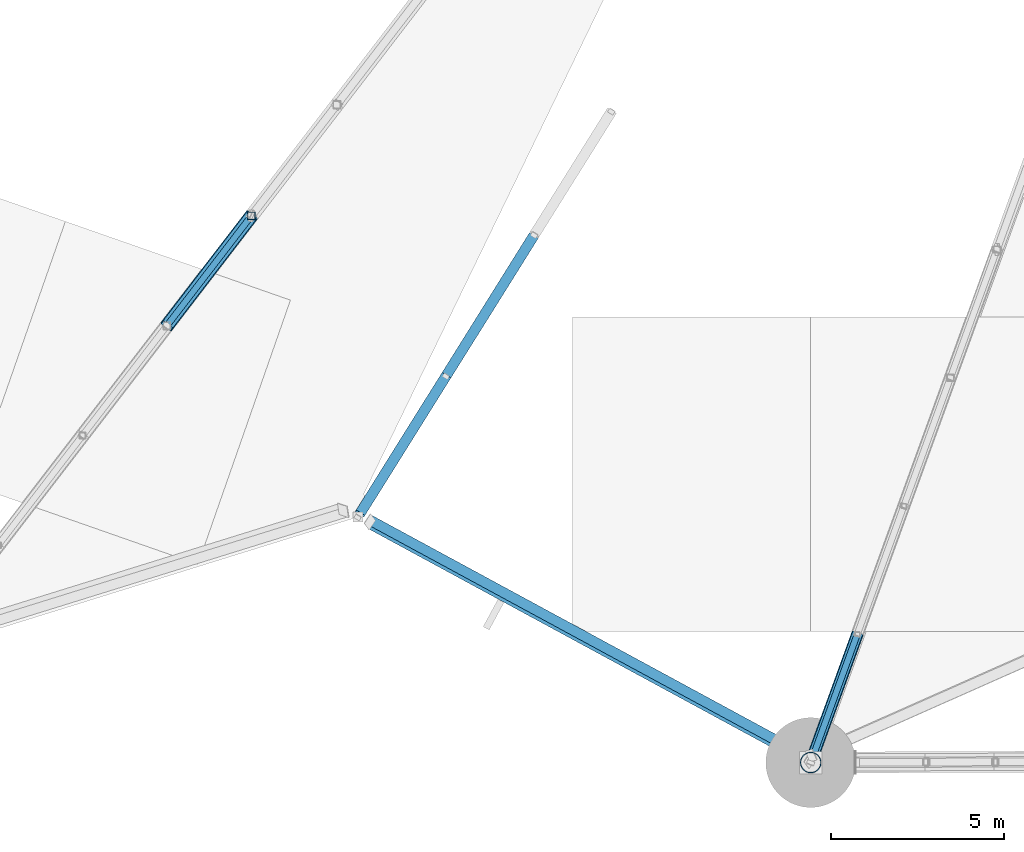
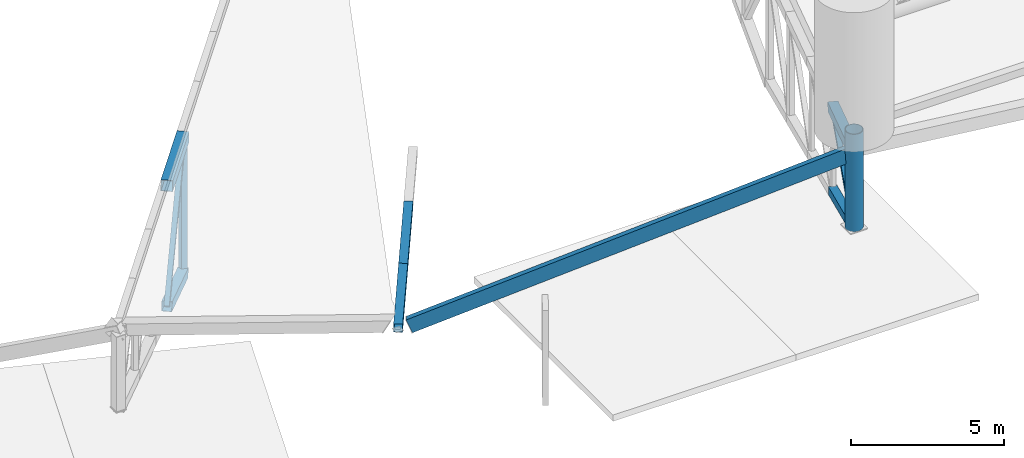
# One storey, part 5 of 188: 10 members, 1 beam.
"""IFC4 building model written with IfcOpenShell, lengths in metres."""

import ifcopenshell
import ifcopenshell.guid

model = None  # the IFC model being written
_history = None  # IfcOwnerHistory: only IFC2X3 demands one
_inside = {}  # id of a spatial element -> (the spatial element, [elements in it])
_under = {}  # id of a project, library or spatial element -> (it, [spatial elements below it])
_declared = {}  # id of a project -> (the project, [libraries it declares])
_typed = {}  # id of a type object -> (the type object, [elements of that type])
_made_of = {}  # id of a material, layer set ... -> (it, [elements and type objects made of it])


def new_model(schema):
    """Start an empty IFC model of exactly this schema.

    Asked for "IFC4X3", IfcOpenShell would pick the latest addendum, in which some entities
    have other attributes; the version numbers below select the first issue.
    IFC2X3 requires an IfcOwnerHistory on every rooted entity: one is made here for all.
    """
    global model, _history
    if schema == "IFC4X3":
        model = ifcopenshell.file(schema_version=(4, 3, 0, 0))
    else:
        model = ifcopenshell.file(schema=schema)
    _inside.clear()
    _under.clear()
    _declared.clear()
    _typed.clear()
    _made_of.clear()
    _history = None
    if model.schema == "IFC2X3":
        org = make("IfcOrganization", Name="unknown")
        user = make(
            "IfcPersonAndOrganization",
            ThePerson=make("IfcPerson", FamilyName="unknown"),
            TheOrganization=org,
        )
        app = make(
            "IfcApplication",
            ApplicationDeveloper=org,
            Version="unknown",
            ApplicationFullName="unknown",
            ApplicationIdentifier="unknown",
        )
        _history = make(
            "IfcOwnerHistory",
            OwningUser=user,
            OwningApplication=app,
            ChangeAction="ADDED",
            CreationDate=0,
        )
    return model


def make(cls, **values):
    """One entity of the class cls with the attributes given. An attribute that is None is left unset."""
    return model.create_entity(
        cls, **{name: value for name, value in values.items() if value is not None}
    )


def rooted(cls, **values):
    """An entity with a GlobalId (a new one), such as an element, a storey or a relation."""
    return make(cls, GlobalId=ifcopenshell.guid.new(), OwnerHistory=_history, **values)


def si_unit(unit_type, name, prefix=None):
    """IfcSIUnit, for example si_unit("LENGTHUNIT", "METRE", prefix="MILLI")."""
    return make("IfcSIUnit", UnitType=unit_type, Prefix=prefix, Name=name)


def assignment(units):
    """IfcUnitAssignment: the units of a project."""
    return None if units is None else make("IfcUnitAssignment", Units=units)


def point(xyz):
    """IfcCartesianPoint."""
    return None if xyz is None else make("IfcCartesianPoint", Coordinates=xyz)


def direction(xyz):
    """IfcDirection."""
    return None if xyz is None else make("IfcDirection", DirectionRatios=xyz)


def frame(location, z_axis=None, x_axis=None):
    """IfcAxis2Placement3D, a coordinate frame: its origin and axes. An axis left out is left unset."""
    return make(
        "IfcAxis2Placement3D",
        Location=point(location),
        Axis=direction(z_axis),
        RefDirection=direction(x_axis),
    )


def frame_2d(location, x_axis=None):
    """IfcAxis2Placement2D, a coordinate frame in the plane: its origin and x axis."""
    return make(
        "IfcAxis2Placement2D", Location=point(location), RefDirection=direction(x_axis)
    )


def origin():
    """The frame at (0, 0, 0) with its axes left unset."""
    return frame((0.0, 0.0, 0.0))


def origin_2d():
    """The frame at (0, 0) in the plane with its x axis left unset."""
    return frame_2d((0.0, 0.0))


def place(relative_to, where):
    """IfcLocalPlacement: puts the frame where relative to a parent placement (None: the world)."""
    return make(
        "IfcLocalPlacement", PlacementRelTo=relative_to, RelativePlacement=where
    )


def context(
    kind, dimensions, precision=None, world=None, true_north=None, identifier=None
):
    """IfcGeometricRepresentationContext, for example the 3D "Model" context."""
    return make(
        "IfcGeometricRepresentationContext",
        ContextIdentifier=identifier,
        ContextType=kind,
        CoordinateSpaceDimension=dimensions,
        Precision=precision,
        WorldCoordinateSystem=world,
        TrueNorth=true_north,
    )


def subcontext(parent, identifier, kind, view, scale=None):
    """IfcGeometricRepresentationSubContext, for example "Body" below "Model"."""
    return make(
        "IfcGeometricRepresentationSubContext",
        ContextIdentifier=identifier,
        ContextType=kind,
        ParentContext=parent,
        TargetScale=scale,
        TargetView=view,
    )


def project(units=None, contexts=None):
    """IfcProject with its units and contexts."""
    return rooted(
        "IfcProject",
        Name="project",
        RepresentationContexts=contexts,
        UnitsInContext=assignment(units),
    )


def spatial(cls, under=None, at=None, **own):
    """A site, building, storey or space (cls), placed at a placement, below another one or the project."""
    s = rooted(cls, ObjectPlacement=at, **own)
    if under is not None:
        _under.setdefault(under.id(), (under, []))[1].append(s)
    return s


def profile(cls, at=None, kind="AREA", **sizes):
    """A parametric profile (cls). Its sizes go by their IFC names, for example OverallWidth=200.0."""
    return make(cls, ProfileType=kind, Position=at, **sizes)


def hollow_rectangle(**sizes):
    """IfcRectangleHollowProfileDef."""
    return profile("IfcRectangleHollowProfileDef", **sizes)


def hollow_circle(**sizes):
    """IfcCircleHollowProfileDef."""
    return profile("IfcCircleHollowProfileDef", **sizes)


def extrude(swept, where, along, depth):
    """IfcExtrudedAreaSolid: the profile swept, set in the frame where, extruded along a direction by depth."""
    return make(
        "IfcExtrudedAreaSolid",
        SweptArea=swept,
        Position=where,
        ExtrudedDirection=direction(along),
        Depth=depth,
    )


def shape(context_of_items, identifier, shape_type, items):
    """IfcShapeRepresentation: the items that make up one representation, for example the "Body"."""
    return make(
        "IfcShapeRepresentation",
        ContextOfItems=context_of_items,
        RepresentationIdentifier=identifier,
        RepresentationType=shape_type,
        Items=items,
    )


def material(Name=None, Category=None):
    """IfcMaterial."""
    return make("IfcMaterial", Name=Name, Category=Category)


def material_profile(
    of_material, cross_section, Name=None, Category=None, Priority=None
):
    """IfcMaterialProfile: a cross section and its material."""
    return make(
        "IfcMaterialProfile",
        Name=Name,
        Material=of_material,
        Profile=cross_section,
        Priority=Priority,
        Category=Category,
    )


def profile_set(profiles, Name=None, composite=None):
    """IfcMaterialProfileSet."""
    return make(
        "IfcMaterialProfileSet",
        Name=Name,
        MaterialProfiles=profiles,
        CompositeProfile=composite,
    )


def made_of(thing, what):
    """Note that an element or type object is made of a material, layer set ...; save() writes the relation."""
    if what is not None:
        _made_of.setdefault(what.id(), (what, []))[1].append(thing)
    return thing


def type_object(cls, material=None, **own):
    """A type object (cls), such as IfcWallType, which elements share."""
    return made_of(rooted(cls, **own), material)


def element(
    cls,
    number,
    at=None,
    inside=None,
    cuts=None,
    type_object=None,
    material=None,
    context=None,
    identifier="Body",
    shape_type=None,
    held_by="IfcProductDefinitionShape",
    body=None,
    shapes=None,
    **own,
):
    """One element of the class cls, such as IfcWall. Its Tag is "e" and its number.

    at: its placement. inside: the storey or other place that contains it. cuts: it is an
    opening in that element (IfcRelVoidsElement). A single representation is given by context,
    identifier, shape_type and body (its items); several are given by shapes. held_by: the class
    of the entity that holds the representations. save() writes the other relations.
    """
    e = rooted(cls, Tag="e%d" % number, ObjectPlacement=at, **own)
    if body is not None:
        shapes = [shape(context, identifier, shape_type, body)]
    if shapes is not None:
        e.Representation = make(held_by, Representations=shapes)
    if inside is not None:
        _inside.setdefault(inside.id(), (inside, []))[1].append(e)
    if cuts is not None:
        rooted(
            "IfcRelVoidsElement", RelatingBuildingElement=cuts, RelatedOpeningElement=e
        )
    if type_object is not None:
        _typed.setdefault(type_object.id(), (type_object, []))[1].append(e)
    return made_of(e, material)


def aggregate(whole, parts):
    """IfcRelAggregates: a whole, such as a stair, and the parts it consists of."""
    return rooted("IfcRelAggregates", RelatingObject=whole, RelatedObjects=parts)


def save(model, path):
    """Write the relations noted so far, then the file.

    IfcRelAggregates (storeys below a building ...), IfcRelContainedInSpatialStructure (elements
    in a storey), IfcRelDefinesByType, IfcRelAssociatesMaterial and IfcRelDeclares: one each for
    every whole, place, type object, material and project.
    """
    for whole, parts in _under.values():
        aggregate(whole, parts)
    for where, things in _inside.values():
        rooted(
            "IfcRelContainedInSpatialStructure",
            RelatedElements=things,
            RelatingStructure=where,
        )
    for kind, things in _typed.values():
        rooted("IfcRelDefinesByType", RelatedObjects=things, RelatingType=kind)
    for what, things in _made_of.values():
        rooted("IfcRelAssociatesMaterial", RelatedObjects=things, RelatingMaterial=what)
    for by, libraries in _declared.values():
        rooted("IfcRelDeclares", RelatingContext=by, RelatedDefinitions=libraries)
    model.write(path)


model = new_model("IFC4")

# Units and contexts
model_context = context("Model", 3, precision=1e-05, world=origin(), true_north=direction((0.0, 1.0)))
body_context = subcontext(model_context, "Body", "Model", "MODEL_VIEW")
ifc_project = project(units=[si_unit("LENGTHUNIT", "METRE"), si_unit("AREAUNIT", "SQUARE_METRE"), si_unit("VOLUMEUNIT", "CUBIC_METRE"), si_unit("PLANEANGLEUNIT", "RADIAN"), si_unit("MASSUNIT", "GRAM", prefix="KILO")], contexts=[model_context])

# Site, building, storey
site_placement = place(None, origin())
site = spatial("IfcSite", under=ifc_project, at=site_placement, CompositionType="ELEMENT")
building_placement = place(site_placement, origin())
building = spatial("IfcBuilding", under=site, at=building_placement, Name="Meseta Stadium", CompositionType="ELEMENT")
storey_placement = place(building_placement, frame((0.0, 0.0, 30.0)))
storey = spatial("IfcBuildingStorey", under=building, at=storey_placement, Name="ROOF", CompositionType="ELEMENT", Elevation=30.0)

# Member
ifc_material_1 = material(Name="Steel S355", Category="steel")
ifc_material_profile_1 = material_profile(ifc_material_1, hollow_circle(Radius=0.304931640625, WallThickness=0.02490234375, at=origin_2d()), Name="CHS 610x25")
ifc_profile_set_1 = profile_set([ifc_material_profile_1], Name="Steel S355")
member_type_1 = type_object("IfcMemberType", Name="CHS 610x25 pylon post", PredefinedType="POST", material=ifc_profile_set_1)
member_1_placement = place(storey_placement, frame((-38.333251953125, -105.39990234375, 7.412841796875), z_axis=(0.0, 0.0, 1.0), x_axis=(1.0, 0.0, 0.0)))
element("IfcMember", 1, at=member_1_placement, inside=storey, type_object=member_type_1, Name="GABLE ARCH GA-S pylon post", PredefinedType="POST", context=body_context, shape_type="SweptSolid", body=[
    extrude(hollow_circle(Radius=0.304931640625, WallThickness=0.02490234375, at=origin_2d()), origin(), (0.0, 0.0, 1.0), 3.88720703125),
])

# Beam
ifc_material_2 = material(Name="Steel S355", Category="steel")
ifc_material_profile_2 = material_profile(ifc_material_2, hollow_rectangle(XDim=0.300048828125, YDim=0.5, WallThickness=0.01611328125, at=origin_2d()), Name="RHS 500x300x16")
ifc_profile_set_2 = profile_set([ifc_material_profile_2], Name="Steel S355")
beam_type = type_object("IfcBeamType", Name="RHS 500x300x16 rim ring beam", PredefinedType="BEAM", material=ifc_profile_set_2)
beam_placement = place(storey_placement, frame((-51.08984375, -98.436767578125, 3.7470703125), z_axis=(0.799880881111, -0.433595791443, 0.414952124558), x_axis=(0.537361885468, 0.825325353414, -0.173436631247)))
element("IfcBeam", 2, at=beam_placement, inside=storey, type_object=beam_type, Name="RIM RING BEAM 44", PredefinedType="BEAM", context=body_context, shape_type="SweptSolid", body=[
    extrude(hollow_rectangle(XDim=0.300048828125, YDim=0.5, WallThickness=0.01611328125, at=origin_2d()), origin(), (0.0, 0.0, 1.0), 15.8974609375),
])

# Members
ifc_material_3 = material(Name="Steel S355", Category="steel")
ifc_material_profile_3 = material_profile(ifc_material_3, hollow_rectangle(XDim=0.179931640625, YDim=0.179931640625, WallThickness=0.00634765625, at=origin_2d()), Name="SHS 180x180x6.3")
ifc_profile_set_3 = profile_set([ifc_material_profile_3], Name="Steel S355")
member_type_2 = type_object("IfcMemberType", Name="SHS 180x180x6.3 diagonal", PredefinedType="BRACE", material=ifc_profile_set_3)
member_2_placement = place(storey_placement, frame((-54.523193359375, -89.579345703125, 7.06787109375), z_axis=(-0.43229767015, -0.56221588294, -0.705004982502), x_axis=(0.792743963915, -0.609554761836, 0.0)))
element("IfcMember", 3, at=member_2_placement, inside=storey, type_object=member_type_2, Name="ROOF TRUSS RT-42 diagonal", PredefinedType="BRACE", context=body_context, shape_type="SweptSolid", body=[
    extrude(hollow_rectangle(XDim=0.179931640625, YDim=0.179931640625, WallThickness=0.00634765625, at=origin_2d()), origin(), (0.0, 0.0, 1.0), 5.652587890625),
])
member_3_placement = place(storey_placement, frame((-36.986083984375, -101.687744140625, 9.484375), z_axis=(-0.302096379546, -0.832434840704, -0.464532037052), x_axis=(0.940013443369, -0.341137400889, 0.0)))
element("IfcMember", 4, at=member_3_placement, inside=storey, type_object=member_type_2, Name="ROOF TRUSS RT-44 diagonal", PredefinedType="BRACE", context=body_context, shape_type="SweptSolid", body=[
    extrude(hollow_rectangle(XDim=0.179931640625, YDim=0.179931640625, WallThickness=0.00634765625, at=origin_2d()), origin(), (0.0, 0.0, 1.0), 4.45947265625),
])
ifc_material_4 = material(Name="Steel S355", Category="steel")
ifc_material_profile_4 = material_profile(ifc_material_4, hollow_rectangle(XDim=0.219970703125, YDim=0.219970703125, WallThickness=0.008056640625, at=origin_2d()), Name="SHS 220x220x8")
ifc_profile_set_4 = profile_set([ifc_material_profile_4], Name="Steel S355")
member_type_3 = type_object("IfcMemberType", Name="SHS 220x220x8 post", PredefinedType="POST", material=ifc_profile_set_4)
member_4_placement = place(storey_placement, frame((-54.523193359375, -89.579345703125, 1.65380859375), z_axis=(0.0, 0.0, 1.0), x_axis=(1.0, 0.0, 0.0)))
element("IfcMember", 5, at=member_4_placement, inside=storey, type_object=member_type_3, Name="ROOF TRUSS RT-42 post", PredefinedType="POST", context=body_context, shape_type="SweptSolid", body=[
    extrude(hollow_rectangle(XDim=0.219970703125, YDim=0.219970703125, WallThickness=0.008056640625, at=origin_2d()), origin(), (0.0, 0.0, 1.0), 5.4140625),
])
ifc_material_5 = material(Name="Steel S355", Category="steel")
ifc_material_profile_5 = material_profile(ifc_material_5, hollow_rectangle(XDim=0.300048828125, YDim=0.300048828125, WallThickness=0.010009765625, at=origin_2d()), Name="SHS 300x300x10")
ifc_profile_set_5 = profile_set([ifc_material_profile_5], Name="Steel S355")
member_type_4 = type_object("IfcMemberType", Name="SHS 300x300x10 bottom chord", PredefinedType="CHORD", material=ifc_profile_set_5)
member_5_placement = place(storey_placement, frame((-36.986083984375, -101.687744140625, 6.127197265625), z_axis=(-0.324396470849, -0.893839310993, 0.30954517574), x_axis=(0.940008053196, -0.341152253292, 0.0)))
element("IfcMember", 6, at=member_5_placement, inside=storey, type_object=member_type_4, Name="ROOF TRUSS RT-44 bottom chord", PredefinedType="CHORD", context=body_context, shape_type="SweptSolid", body=[
    extrude(hollow_rectangle(XDim=0.300048828125, YDim=0.300048828125, WallThickness=0.010009765625, at=origin_2d()), origin(), (0.0, 0.0, 1.0), 3.978271484375),
])
ifc_material_6 = material(Name="Steel S355", Category="steel")
ifc_material_profile_6 = material_profile(ifc_material_6, hollow_rectangle(XDim=0.300048828125, YDim=0.300048828125, WallThickness=0.010009765625, at=origin_2d()), Name="SHS 300x300x10")
ifc_profile_set_6 = profile_set([ifc_material_profile_6], Name="Steel S355")
member_type_5 = type_object("IfcMemberType", Name="SHS 300x300x10 top chord", PredefinedType="CHORD", material=ifc_profile_set_6)
member_6_placement = place(storey_placement, frame((-46.333251953125, -90.126220703125, 1.79833984375), z_axis=(-0.521398970467, -0.833759867888, 0.181624877964), x_axis=(0.847861596685, -0.530217608974, 0.0)))
element("IfcMember", 7, at=member_6_placement, inside=storey, type_object=member_type_5, Name="ROOF TRUSS RT-43 top chord", PredefinedType="CHORD", context=body_context, shape_type="SweptSolid", body=[
    extrude(hollow_rectangle(XDim=0.300048828125, YDim=0.300048828125, WallThickness=0.010009765625, at=origin_2d()), origin(), (0.0, 0.0, 1.0), 4.898193359375),
])
member_7_placement = place(storey_placement, frame((-48.88720703125, -94.210205078125, 2.68798828125), z_axis=(-0.521414943481, -0.833752467741, 0.181612993065), x_axis=(0.847852178841, -0.530232668585, 0.0)))
element("IfcMember", 8, at=member_7_placement, inside=storey, type_object=member_type_5, Name="ROOF TRUSS RT-43 top chord", PredefinedType="CHORD", context=body_context, shape_type="SweptSolid", body=[
    extrude(hollow_rectangle(XDim=0.300048828125, YDim=0.300048828125, WallThickness=0.010009765625, at=origin_2d()), origin(), (0.0, 0.0, 1.0), 4.773681640625),
])
ifc_material_7 = material(Name="Steel S355", Category="steel")
ifc_material_profile_7 = material_profile(ifc_material_7, hollow_rectangle(XDim=0.35009765625, YDim=0.35009765625, WallThickness=0.010009765625, at=origin_2d()), Name="SHS 350x350x10")
ifc_profile_set_7 = profile_set([ifc_material_profile_7], Name="Steel S355")
member_type_6 = type_object("IfcMemberType", Name="SHS 350x350x10 bottom chord", PredefinedType="CHORD", material=ifc_profile_set_7)
member_8_placement = place(storey_placement, frame((-54.523193359375, -89.579345703125, 1.65380859375), z_axis=(-0.574168873902, -0.746723571944, 0.335758858922), x_axis=(0.792743963915, -0.609554761836, 0.0)))
element("IfcMember", 9, at=member_8_placement, inside=storey, type_object=member_type_6, Name="ROOF TRUSS RT-42 bottom chord", PredefinedType="CHORD", context=body_context, shape_type="SweptSolid", body=[
    extrude(hollow_rectangle(XDim=0.35009765625, YDim=0.35009765625, WallThickness=0.010009765625, at=origin_2d()), origin(), (0.0, 0.0, 1.0), 4.255859375),
])
ifc_material_8 = material(Name="Steel S355", Category="steel")
ifc_material_profile_8 = material_profile(ifc_material_8, hollow_rectangle(XDim=0.35009765625, YDim=0.35009765625, WallThickness=0.010009765625, at=origin_2d()), Name="SHS 350x350x10")
ifc_profile_set_8 = profile_set([ifc_material_profile_8], Name="Steel S355")
member_type_7 = type_object("IfcMemberType", Name="SHS 350x350x10 top chord", PredefinedType="CHORD", material=ifc_profile_set_8)
member_9_placement = place(storey_placement, frame((-36.986083984375, -101.687744140625, 9.484375), z_axis=(-0.332090680226, -0.915073353524, 0.228815510353), x_axis=(0.940012056206, -0.34114122323, 0.0)))
element("IfcMember", 10, at=member_9_placement, inside=storey, type_object=member_type_7, Name="ROOF TRUSS RT-44 top chord", PredefinedType="CHORD", context=body_context, shape_type="SweptSolid", body=[
    extrude(hollow_rectangle(XDim=0.35009765625, YDim=0.35009765625, WallThickness=0.010009765625, at=origin_2d()), origin(), (0.0, 0.0, 1.0), 3.881591796875),
])
ifc_material_9 = material(Name="Steel S355", Category="steel")
ifc_material_profile_9 = material_profile(ifc_material_9, hollow_rectangle(XDim=0.39990234375, YDim=0.39990234375, WallThickness=0.01416015625, at=origin_2d()), Name="SHS 400x400x14.2")
ifc_profile_set_9 = profile_set([ifc_material_profile_9], Name="Steel S355")
member_type_8 = type_object("IfcMemberType", Name="SHS 400x400x14.2 top chord", PredefinedType="CHORD", material=ifc_profile_set_9)
member_10_placement = place(storey_placement, frame((-54.523193359375, -89.579345703125, 7.06787109375), z_axis=(-0.597030016327, -0.776455162607, 0.201674341613), x_axis=(0.792743963915, -0.609554761836, 0.0)))
element("IfcMember", 11, at=member_10_placement, inside=storey, type_object=member_type_8, Name="ROOF TRUSS RT-42 top chord", PredefinedType="CHORD", context=body_context, shape_type="SweptSolid", body=[
    extrude(hollow_rectangle(XDim=0.39990234375, YDim=0.39990234375, WallThickness=0.01416015625, at=origin_2d()), origin(), (0.0, 0.0, 1.0), 4.093017578125),
])

save(model, "model.ifc")
